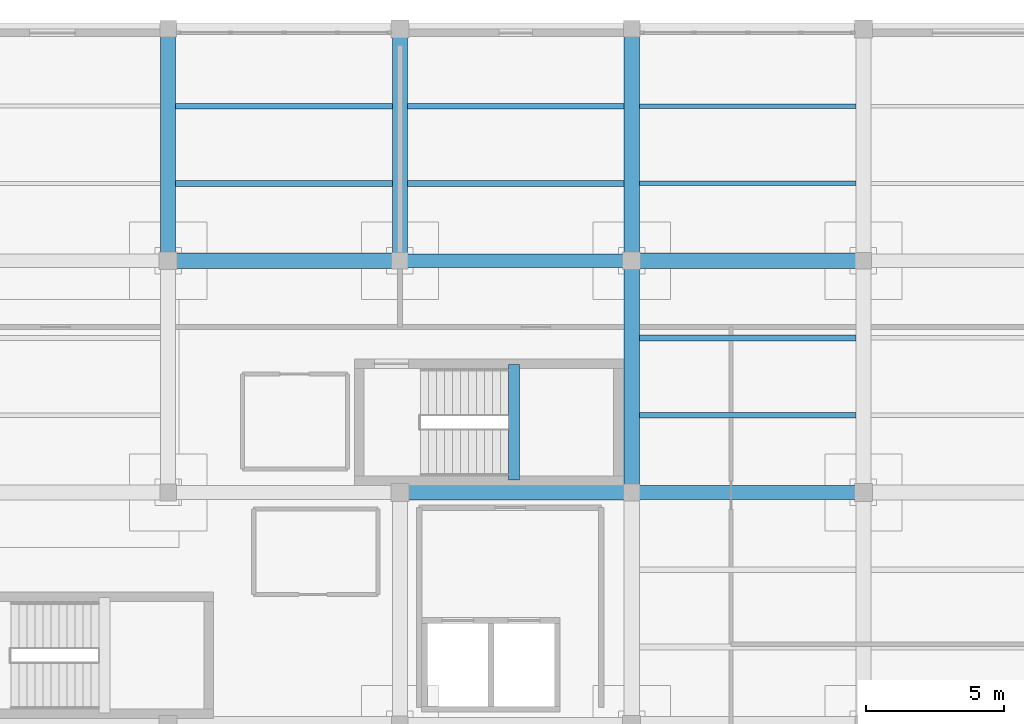
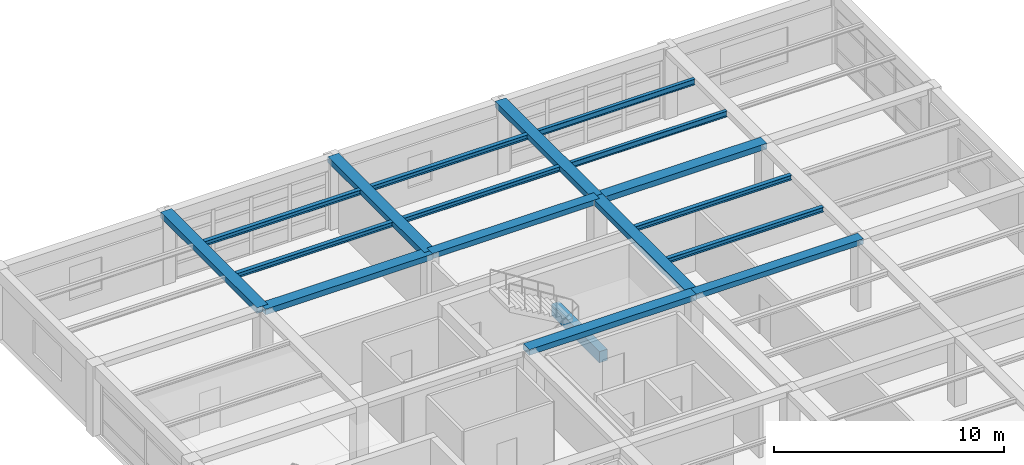
# One storey, part 11 of 25: 18 beams.
"""IFC4 building model written with IfcOpenShell, lengths in metres."""

from ifc_helpers import new_model, si_unit, direction, frame, origin, origin_2d, place, context, subcontext, project, spatial, rectangle, i_section, extrude, material, material_profile, profile_set, type_object, element, save


model = new_model("IFC4")

# Units and contexts
model_context = context("Model", 3, precision=1e-05, world=origin(), true_north=direction((0.0, 1.0)))
body_context = subcontext(model_context, "Body", "Model", "MODEL_VIEW")
ifc_project = project(units=[si_unit("LENGTHUNIT", "METRE"), si_unit("AREAUNIT", "SQUARE_METRE"), si_unit("VOLUMEUNIT", "CUBIC_METRE"), si_unit("PLANEANGLEUNIT", "RADIAN"), si_unit("MASSUNIT", "GRAM", prefix="KILO")], contexts=[model_context])

# Site, building, storey
site_placement = place(None, origin())
site = spatial("IfcSite", under=ifc_project, at=site_placement, CompositionType="ELEMENT")
building_placement = place(site_placement, origin())
building = spatial("IfcBuilding", under=site, at=building_placement, Name="Almacenes y Pasaje Nevantli", CompositionType="ELEMENT")
storey_placement = place(building_placement, frame((0.0, 0.0, 50.699951171875)))
storey = spatial("IfcBuildingStorey", under=building, at=storey_placement, Name="L12", CompositionType="ELEMENT", Elevation=50.699951171875)

# Beams
ifc_material_1 = material(Name="Concrete C35/45", Category="concrete")
ifc_material_profile_1 = material_profile(ifc_material_1, rectangle(XDim=0.39990234375, YDim=0.60009765625, at=origin_2d()), Name="RC-BM-400x600")
ifc_profile_set_1 = profile_set([ifc_material_profile_1], Name="Concrete C35/45")
beam_type_1 = type_object("IfcBeamType", Name="BM-RC-400x600", PredefinedType="SPANDREL", material=ifc_profile_set_1)
beam_1_placement = place(storey_placement, frame((138.5400390625, 84.449951171875, 1.5), z_axis=(0.0, 1.0, 0.0), x_axis=(-1.0, 0.0, 0.0)))
element("IfcBeam", 1, at=beam_1_placement, inside=storey, type_object=beam_type_1, Name="L12 Stair ST-02 Half-Landing Support Beam", PredefinedType="SPANDREL", context=body_context, shape_type="SweptSolid", body=[
    extrude(rectangle(XDim=0.39990234375, YDim=0.60009765625, at=origin_2d()), origin(), (0.0, 0.0, 1.0), 4.18994140625),
])
ifc_material_2 = material(Name="Concrete C35/45", Category="concrete")
ifc_material_profile_2 = material_profile(ifc_material_2, rectangle(XDim=0.5, YDim=0.280029296875, at=origin_2d()), Name="RC-BM-500x280")
ifc_profile_set_2 = profile_set([ifc_material_profile_2], Name="Concrete C35/45")
beam_type_2 = type_object("IfcBeamType", Name="BM-RC-500x280", PredefinedType="BEAM", material=ifc_profile_set_2)
beam_2_placement = place(storey_placement, frame((142.800048828125, 84.0, 3.580078125), z_axis=(1.0, 0.0, 0.0), x_axis=(0.0, 1.0, 0.0)))
element("IfcBeam", 2, at=beam_2_placement, inside=storey, type_object=beam_type_2, Name="L12 East-West Reinforced Concrete Beam #3904", PredefinedType="BEAM", context=body_context, shape_type="SweptSolid", body=[
    extrude(rectangle(XDim=0.5, YDim=0.280029296875, at=origin_2d()), origin(), (0.0, 0.0, 1.0), 8.39990234375),
])
beam_3_placement = place(storey_placement, frame((134.39990234375, 92.39990234375, 3.580078125), z_axis=(1.0, 0.0, 0.0), x_axis=(0.0, 1.0, 0.0)))
element("IfcBeam", 3, at=beam_3_placement, inside=storey, type_object=beam_type_2, Name="L12 East-West Reinforced Concrete Beam #3908", PredefinedType="BEAM", context=body_context, shape_type="SweptSolid", body=[
    extrude(rectangle(XDim=0.5, YDim=0.280029296875, at=origin_2d()), origin(), (0.0, 0.0, 1.0), 8.400146484375),
])
ifc_material_3 = material(Name="Concrete C35/45", Category="concrete")
ifc_material_profile_3 = material_profile(ifc_material_3, rectangle(XDim=0.550048828125, YDim=0.300048828125, at=origin_2d()), Name="RC-BM-550x300")
ifc_profile_set_3 = profile_set([ifc_material_profile_3], Name="Concrete C35/45")
beam_type_3 = type_object("IfcBeamType", Name="BM-RC-550x300", PredefinedType="BEAM", material=ifc_profile_set_3)
beam_4_placement = place(storey_placement, frame((134.39990234375, 84.0, 3.570068359375), z_axis=(1.0, 0.0, 0.0), x_axis=(0.0, 1.0, 0.0)))
element("IfcBeam", 4, at=beam_4_placement, inside=storey, type_object=beam_type_3, Name="L12 East-West Reinforced Concrete Beam #3903", PredefinedType="BEAM", context=body_context, shape_type="SweptSolid", body=[
    extrude(rectangle(XDim=0.550048828125, YDim=0.300048828125, at=origin_2d()), origin(), (0.0, 0.0, 1.0), 8.400146484375),
])
for number, where, z_axis, x_axis, name in (
    (5, (126.0, 92.39990234375, 3.570068359375), (1.0, 0.0, 0.0), (0.0, 1.0, 0.0), "L12 East-West Reinforced Concrete Beam #3907"),
    (6, (142.800048828125, 92.39990234375, 3.570068359375), (1.0, 0.0, 0.0), (0.0, 1.0, 0.0), "L12 East-West Reinforced Concrete Beam #3909"),
):
    element("IfcBeam", number, at=place(storey_placement, frame(where, z_axis=z_axis, x_axis=x_axis)), inside=storey, type_object=beam_type_3, Name=name, PredefinedType="BEAM", context=body_context, shape_type="SweptSolid", body=[
        extrude(rectangle(XDim=0.550048828125, YDim=0.300048828125, at=origin_2d()), origin(), (0.0, 0.0, 1.0), 8.39990234375),
    ])
for number, where, z_axis, x_axis, name in (
    (7, (126.0, 92.39990234375, 3.570068359375), (0.0, 1.0, 0.0), (-1.0, 0.0, 0.0), "L12 North-South Reinforced Concrete Beam #3922"),
    (8, (134.39990234375, 92.39990234375, 3.570068359375), (0.0, 1.0, 0.0), (-1.0, 0.0, 0.0), "L12 North-South Reinforced Concrete Beam #3925"),
):
    element("IfcBeam", number, at=place(storey_placement, frame(where, z_axis=z_axis, x_axis=x_axis)), inside=storey, type_object=beam_type_3, Name=name, PredefinedType="BEAM", context=body_context, shape_type="SweptSolid", body=[
        extrude(rectangle(XDim=0.550048828125, YDim=0.300048828125, at=origin_2d()), origin(), (0.0, 0.0, 1.0), 8.400146484375),
    ])
beam_5_placement = place(storey_placement, frame((142.800048828125, 84.0, 3.570068359375), z_axis=(0.0, 1.0, 0.0), x_axis=(-1.0, 0.0, 0.0)))
element("IfcBeam", 9, at=beam_5_placement, inside=storey, type_object=beam_type_3, Name="L12 North-South Reinforced Concrete Beam #3928", PredefinedType="BEAM", context=body_context, shape_type="SweptSolid", body=[
    extrude(rectangle(XDim=0.550048828125, YDim=0.300048828125, at=origin_2d()), origin(), (0.0, 0.0, 1.0), 8.39990234375),
])
beam_6_placement = place(storey_placement, frame((142.800048828125, 92.39990234375, 3.570068359375), z_axis=(0.0, 1.0, 0.0), x_axis=(-1.0, 0.0, 0.0)))
element("IfcBeam", 10, at=beam_6_placement, inside=storey, type_object=beam_type_3, Name="L12 North-South Reinforced Concrete Beam #3929", PredefinedType="BEAM", context=body_context, shape_type="SweptSolid", body=[
    extrude(rectangle(XDim=0.550048828125, YDim=0.300048828125, at=origin_2d()), origin(), (0.0, 0.0, 1.0), 8.400146484375),
])
ifc_material_4 = material(Name="Steel ASTM A992", Category="steel")
ifc_material_profile_4 = material_profile(ifc_material_4, i_section(OverallWidth=0.202880859375, OverallDepth=0.25390625, WebThickness=0.00732421875, FlangeThickness=0.010986328125, at=origin_2d()), Name="IR 254x49.1")
ifc_profile_set_4 = profile_set([ifc_material_profile_4], Name="Steel ASTM A992")
beam_type_4 = type_object("IfcBeamType", Name="BM-STL-IR-254x49p1", PredefinedType="JOIST", material=ifc_profile_set_4)
for number, where, z_axis, x_axis, name in (
    (11, (126.27490234375, 95.199951171875, 3.5849609375), (1.0, 0.0, 0.0), (0.0, 1.0, 0.0), "L12 Secondary Steel Floor Joist #1545"),
    (12, (126.27490234375, 98.0, 3.5849609375), (1.0, 0.0, 0.0), (0.0, 1.0, 0.0), "L12 Secondary Steel Floor Joist #1546"),
):
    element("IfcBeam", number, at=place(storey_placement, frame(where, z_axis=z_axis, x_axis=x_axis)), inside=storey, type_object=beam_type_4, Name=name, PredefinedType="JOIST", context=body_context, shape_type="SweptSolid", body=[
        extrude(i_section(OverallWidth=0.202880859375, OverallDepth=0.25390625, WebThickness=0.00732421875, FlangeThickness=0.010986328125, at=origin_2d()), origin(), (0.0, 0.0, 1.0), 7.85009765625),
    ])
ifc_material_5 = material(Name="Steel ASTM A992", Category="steel")
ifc_material_profile_5 = material_profile(ifc_material_5, i_section(OverallWidth=0.2041015625, OverallDepth=0.258056640625, WebThickness=0.008056640625, FlangeThickness=0.013427734375, at=origin_2d()), Name="IR 254x58.0")
ifc_profile_set_5 = profile_set([ifc_material_profile_5], Name="Steel ASTM A992")
beam_type_5 = type_object("IfcBeamType", Name="BM-STL-IR-254x58p0", PredefinedType="JOIST", material=ifc_profile_set_5)
for number, where, z_axis, x_axis, name in (
    (13, (134.675048828125, 95.199951171875, 3.5830078125), (1.0, 0.0, 0.0), (0.0, 1.0, 0.0), "L12 Secondary Steel Floor Joist #1549"),
    (14, (134.675048828125, 98.0, 3.5830078125), (1.0, 0.0, 0.0), (0.0, 1.0, 0.0), "L12 Secondary Steel Floor Joist #1550"),
):
    element("IfcBeam", number, at=place(storey_placement, frame(where, z_axis=z_axis, x_axis=x_axis)), inside=storey, type_object=beam_type_5, Name=name, PredefinedType="JOIST", context=body_context, shape_type="SweptSolid", body=[
        extrude(i_section(OverallWidth=0.2041015625, OverallDepth=0.258056640625, WebThickness=0.008056640625, FlangeThickness=0.013427734375, at=origin_2d()), origin(), (0.0, 0.0, 1.0), 7.849853515625),
    ])
for number, where, z_axis, x_axis, name in (
    (15, (143.074951171875, 86.800048828125, 3.5830078125), (1.0, 0.0, 0.0), (0.0, 1.0, 0.0), "L12 Secondary Steel Floor Joist #1555"),
    (16, (143.074951171875, 89.60009765625, 3.5830078125), (1.0, 0.0, 0.0), (0.0, 1.0, 0.0), "L12 Secondary Steel Floor Joist #1556"),
):
    element("IfcBeam", number, at=place(storey_placement, frame(where, z_axis=z_axis, x_axis=x_axis)), inside=storey, type_object=beam_type_5, Name=name, PredefinedType="JOIST", context=body_context, shape_type="SweptSolid", body=[
        extrude(i_section(OverallWidth=0.2041015625, OverallDepth=0.258056640625, WebThickness=0.008056640625, FlangeThickness=0.013427734375, at=origin_2d()), origin(), (0.0, 0.0, 1.0), 7.85009765625),
    ])
ifc_material_6 = material(Name="Steel ASTM A992", Category="steel")
ifc_material_profile_6 = material_profile(ifc_material_6, i_section(OverallWidth=0.1650390625, OverallDepth=0.306884765625, WebThickness=0.006591796875, FlangeThickness=0.01025390625, at=origin_2d()), Name="IR 305x44.6")
ifc_profile_set_6 = profile_set([ifc_material_profile_6], Name="Steel ASTM A992")
beam_type_6 = type_object("IfcBeamType", Name="BM-STL-IR-305x44p6", PredefinedType="JOIST", material=ifc_profile_set_6)
for number, where, z_axis, x_axis, name in (
    (17, (143.074951171875, 95.199951171875, 3.55859375), (1.0, 0.0, 0.0), (0.0, 1.0, 0.0), "L12 Secondary Steel Floor Joist #1557"),
    (18, (143.074951171875, 98.0, 3.55859375), (1.0, 0.0, 0.0), (0.0, 1.0, 0.0), "L12 Secondary Steel Floor Joist #1558"),
):
    element("IfcBeam", number, at=place(storey_placement, frame(where, z_axis=z_axis, x_axis=x_axis)), inside=storey, type_object=beam_type_6, Name=name, PredefinedType="JOIST", context=body_context, shape_type="SweptSolid", body=[
        extrude(i_section(OverallWidth=0.1650390625, OverallDepth=0.306884765625, WebThickness=0.006591796875, FlangeThickness=0.01025390625, at=origin_2d()), origin(), (0.0, 0.0, 1.0), 7.85009765625),
    ])

save(model, "model.ifc")
